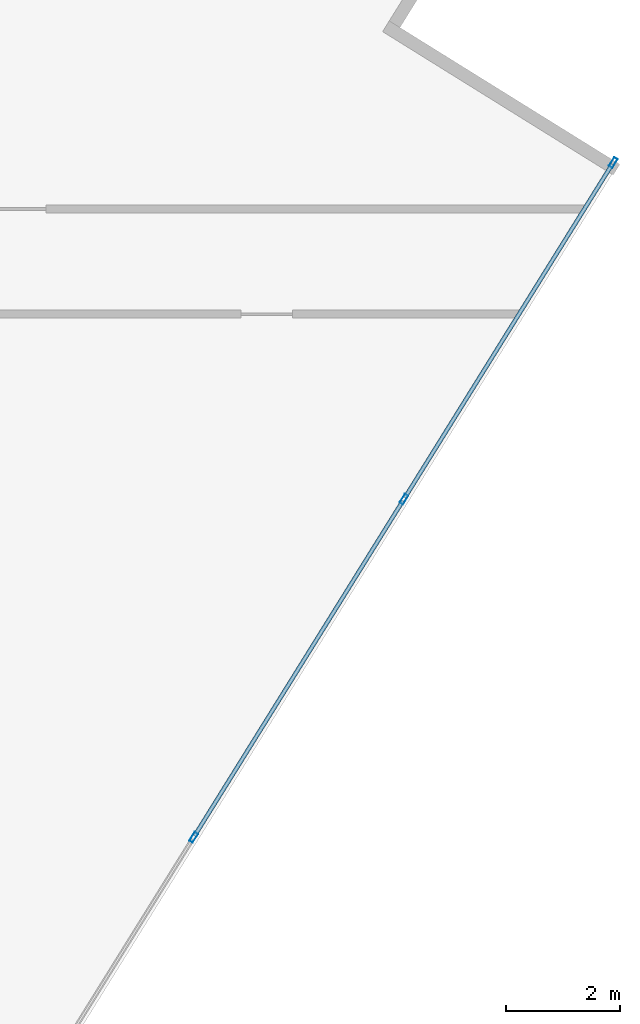
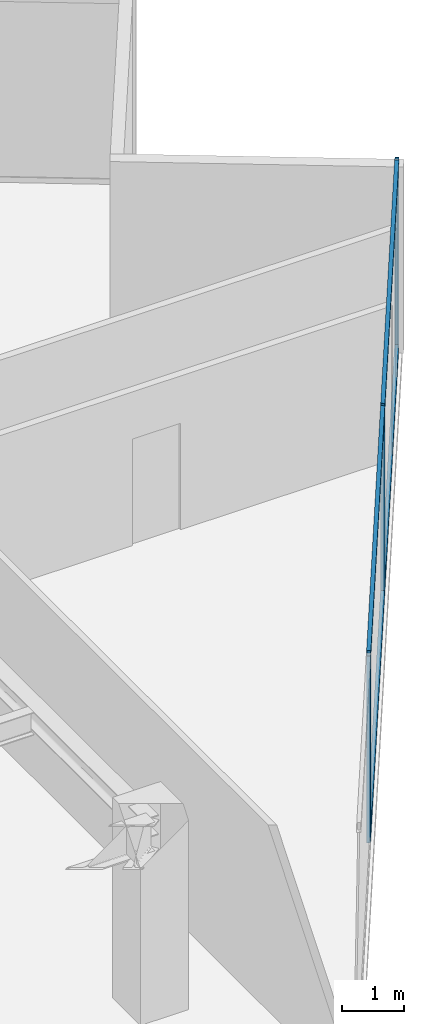
# One storey, part 11 of 25: 7 members, 1 element without a shape of its own.
"""IFC4 building model written with IfcOpenShell, lengths in metres."""

from ifc_helpers import new_model, si_unit, direction, frame, origin, origin_2d, place, context, subcontext, project, spatial, hollow_rectangle, extrude, source, transform, mapped, material, material_profile, profile_set, type_object, type_shapes, element, aggregate, save


model = new_model("IFC4")

# Units and contexts
model_context = context("Model", 3, precision=1e-05, world=origin(), true_north=direction((0.0, 1.0)))
body_context = subcontext(model_context, "Body", "Model", "MODEL_VIEW")
ifc_project = project(units=[si_unit("LENGTHUNIT", "METRE"), si_unit("AREAUNIT", "SQUARE_METRE"), si_unit("VOLUMEUNIT", "CUBIC_METRE"), si_unit("PLANEANGLEUNIT", "RADIAN"), si_unit("MASSUNIT", "GRAM", prefix="KILO")], contexts=[model_context])

# Site, building, storey
site_placement = place(None, origin())
site = spatial("IfcSite", under=ifc_project, at=site_placement, CompositionType="ELEMENT")
building_placement = place(site_placement, origin())
building = spatial("IfcBuilding", under=site, at=building_placement, Name="Krantzveldt Concourse Tower", CompositionType="ELEMENT")
storey_placement = place(building_placement, frame((0.0, 0.0, 181.75)))
storey = spatial("IfcBuildingStorey", under=building, at=storey_placement, Name="L44", CompositionType="ELEMENT", Elevation=181.75)

# Curtain wall, members
ifc_material = material(Name="Anodised aluminium 6063-T6", Category="aluminium")
curtain_wall_type = type_object("IfcCurtainWallType", Name="CW3", PredefinedType="USERDEFINED", material=ifc_material)
curtain_wall_placement = place(storey_placement, origin())
curtain_wall = element("IfcCurtainWall", 1, at=curtain_wall_placement, inside=storey, type_object=curtain_wall_type, Name="CW-L44-F07", ObjectType="UNITISED CURTAIN WALL", PredefinedType="USERDEFINED")
ifc_material_profile_1 = material_profile(ifc_material, hollow_rectangle(XDim=0.070068359375, YDim=0.179931640625, WallThickness=0.0048828125, at=origin_2d()), Name="Anodised aluminium 6063-T6", Category="aluminium")
ifc_profile_set_1 = profile_set([ifc_material_profile_1], Name="Anodised aluminium 6063-T6 - ALU-MULL 180x70x5")
member_type_1 = type_object("IfcMemberType", Name="CW-MUL-180", PredefinedType="MULLION", material=ifc_profile_set_1)
shared_shape_1 = source(origin(), body_context, "Body", "SweptSolid", [
    extrude(hollow_rectangle(XDim=0.070068359375, YDim=0.179931640625, WallThickness=0.0048828125, at=origin_2d()), origin(), (0.0, 0.0, 1.0), 3.669921875),
])
type_shapes(member_type_1, [shared_shape_1])
member_1_placement = place(storey_placement, frame((56.35888671875, 18.13818359375, 0.0), z_axis=(0.0, 0.0, 1.0), x_axis=(-0.84920214961, 0.528067901977, 0.0)))
member_1 = element("IfcMember", 2, at=member_1_placement, type_object=member_type_1, Name="CW-Z34 mullion 4", PredefinedType="MULLION", context=body_context, shape_type="MappedRepresentation", body=[
    mapped(shared_shape_1, transform((0.0, 0.0, 0.0), x_axis=(1.0, 0.0, 0.0), y_axis=(0.0, 1.0, 0.0), z_axis=(0.0, 0.0, 1.0), scale=1.0)),
])
member_2_placement = place(storey_placement, frame((60.0341796875, 24.048583984375, 0.0), z_axis=(0.0, 0.0, 1.0), x_axis=(-0.84920214961, 0.528067901977, 0.0)))
member_2 = element("IfcMember", 3, at=member_2_placement, type_object=member_type_1, Name="CW-Z34 mullion 5", PredefinedType="MULLION", context=body_context, shape_type="MappedRepresentation", body=[
    mapped(shared_shape_1, transform((0.0, 0.0, 0.0), x_axis=(1.0, 0.0, 0.0), y_axis=(0.0, 1.0, 0.0), z_axis=(0.0, 0.0, 1.0), scale=1.0)),
])
member_3_placement = place(storey_placement, frame((63.69091796875, 29.92919921875, 0.0), z_axis=(0.0, 0.0, 1.0), x_axis=(-0.84920214961, 0.528067901977, 0.0)))
member_3 = element("IfcMember", 4, at=member_3_placement, type_object=member_type_1, Name="CW-Z34 mullion 6", PredefinedType="MULLION", context=body_context, shape_type="MappedRepresentation", body=[
    mapped(shared_shape_1, transform((0.0, 0.0, 0.0), x_axis=(1.0, 0.0, 0.0), y_axis=(0.0, 1.0, 0.0), z_axis=(0.0, 0.0, 1.0), scale=1.0)),
])
ifc_material_profile_2 = material_profile(ifc_material, hollow_rectangle(XDim=0.070068359375, YDim=0.139892578125, WallThickness=0.0048828125, at=origin_2d()), Name="Anodised aluminium 6063-T6", Category="aluminium")
ifc_profile_set_2 = profile_set([ifc_material_profile_2], Name="Anodised aluminium 6063-T6 - ALU-TRAN 140x70x5")
member_type_2 = type_object("IfcMemberType", Name="CW-TRN-150", PredefinedType="USERDEFINED", material=ifc_profile_set_2)
shared_shape_2 = source(origin(), body_context, "Body", "SweptSolid", [
    extrude(hollow_rectangle(XDim=0.070068359375, YDim=0.139892578125, WallThickness=0.0048828125, at=origin_2d()), origin(), (0.0, 0.0, 1.0), 6.89013671875),
])
member_4_placement = place(storey_placement, frame((56.377197265625, 18.167724609375, 0.034912109375), z_axis=(0.528067429464, 0.849202443437, 0.0), x_axis=(-0.849202443437, 0.528067429464, 0.0)))
member_4 = element("IfcMember", 5, at=member_4_placement, type_object=member_type_2, Name="CW-Z34 transom 4.1", ObjectType="TRANSOM", PredefinedType="USERDEFINED", context=body_context, shape_type="MappedRepresentation", body=[
    mapped(shared_shape_2, transform((0.0, 0.0, 0.0), x_axis=(1.0, 0.0, 0.0), y_axis=(0.0, 1.0, 0.0), z_axis=(0.0, 0.0, 1.0), scale=1.0)),
])
member_5_placement = place(storey_placement, frame((56.377197265625, 18.167724609375, 3.635009765625), z_axis=(0.528067429464, 0.849202443437, 0.0), x_axis=(-0.849202443437, 0.528067429464, 0.0)))
member_5 = element("IfcMember", 6, at=member_5_placement, type_object=member_type_2, Name="CW-Z34 transom 4.2", ObjectType="TRANSOM", PredefinedType="USERDEFINED", context=body_context, shape_type="MappedRepresentation", body=[
    mapped(shared_shape_2, transform((0.0, 0.0, 0.0), x_axis=(1.0, 0.0, 0.0), y_axis=(0.0, 1.0, 0.0), z_axis=(0.0, 0.0, 1.0), scale=1.0)),
])
shared_shape_3 = source(origin(), body_context, "Body", "SweptSolid", [
    extrude(hollow_rectangle(XDim=0.070068359375, YDim=0.139892578125, WallThickness=0.0048828125, at=origin_2d()), origin(), (0.0, 0.0, 1.0), 6.855224609375),
])
type_shapes(member_type_2, [shared_shape_2, shared_shape_3])
member_6_placement = place(storey_placement, frame((60.052490234375, 24.078125, 0.034912109375), z_axis=(0.528089629534, 0.849188638159, 0.0), x_axis=(-0.849188638159, 0.528089629534, 0.0)))
member_6 = element("IfcMember", 7, at=member_6_placement, type_object=member_type_2, Name="CW-Z34 transom 5.1", ObjectType="TRANSOM", PredefinedType="USERDEFINED", context=body_context, shape_type="MappedRepresentation", body=[
    mapped(shared_shape_3, transform((0.0, 0.0, 0.0), x_axis=(1.0, 0.0, 0.0), y_axis=(0.0, 1.0, 0.0), z_axis=(0.0, 0.0, 1.0), scale=1.0)),
])
member_7_placement = place(storey_placement, frame((60.052490234375, 24.078125, 3.635009765625), z_axis=(0.528089629534, 0.849188638159, 0.0), x_axis=(-0.849188638159, 0.528089629534, 0.0)))
member_7 = element("IfcMember", 8, at=member_7_placement, type_object=member_type_2, Name="CW-Z34 transom 5.2", ObjectType="TRANSOM", PredefinedType="USERDEFINED", context=body_context, shape_type="MappedRepresentation", body=[
    mapped(shared_shape_3, transform((0.0, 0.0, 0.0), x_axis=(1.0, 0.0, 0.0), y_axis=(0.0, 1.0, 0.0), z_axis=(0.0, 0.0, 1.0), scale=1.0)),
])
aggregate(curtain_wall, [member_1, member_2, member_3, member_4, member_5, member_6, member_7])

save(model, "model.ifc")
